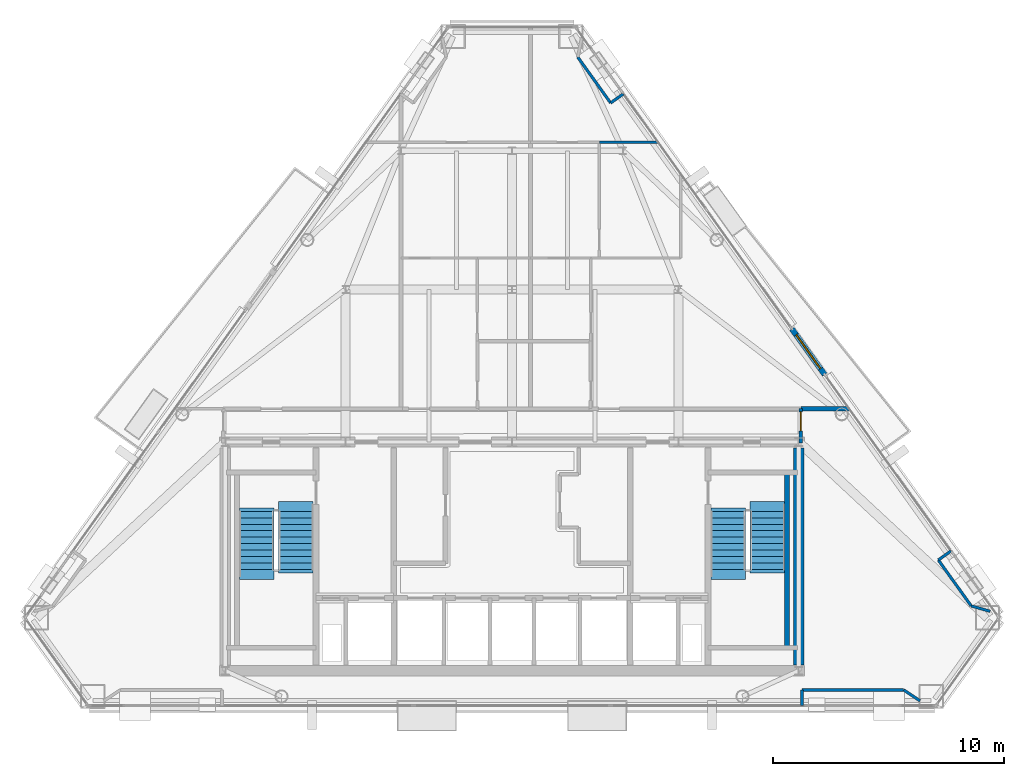
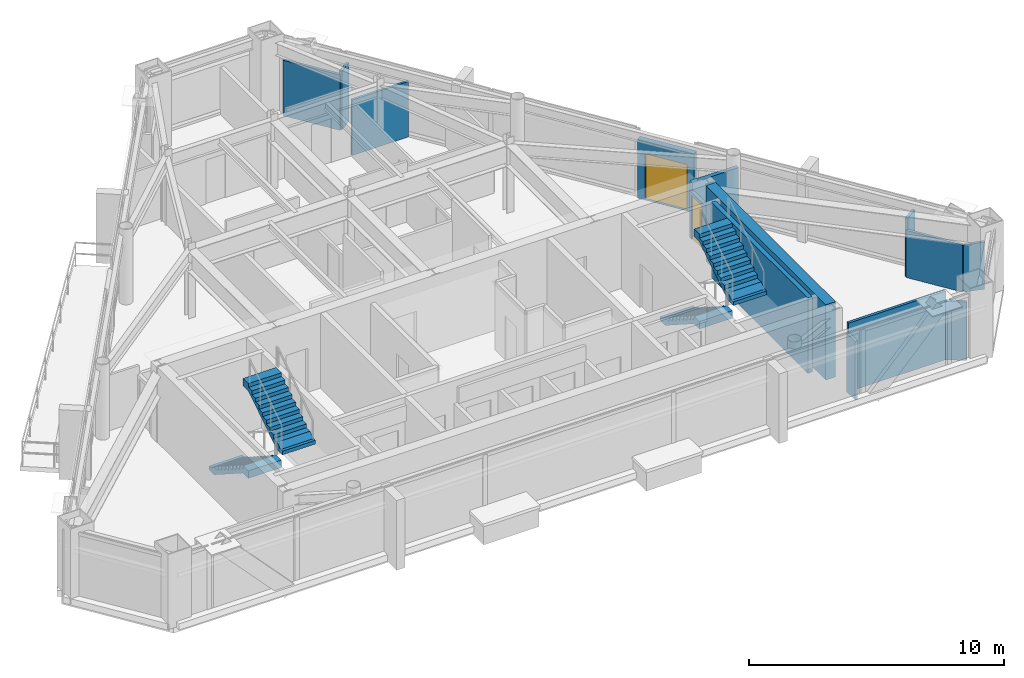
# One storey, part 9 of 11: 14 walls, 4 stair flights, 2 doors, 2 openings, 2 elements without a shape of their own.
"""IFC4 building model written with IfcOpenShell, lengths in metres."""

from ifc_helpers import new_model, si_unit, direction, frame, frame_2d, origin, place, context, subcontext, project, spatial, polyline, rectangle, outline, extrude, material, layer, layer_set, type_object, element, fill, aggregate, save


model = new_model("IFC4")

# Units and contexts
model_context = context("Model", 3, precision=1e-05, world=origin(), true_north=direction((0.0, 1.0)))
body_context = subcontext(model_context, "Body", "Model", "MODEL_VIEW")
ifc_project = project(units=[si_unit("LENGTHUNIT", "METRE"), si_unit("AREAUNIT", "SQUARE_METRE"), si_unit("VOLUMEUNIT", "CUBIC_METRE"), si_unit("PLANEANGLEUNIT", "RADIAN"), si_unit("MASSUNIT", "GRAM", prefix="KILO")], contexts=[model_context])

# Site, building, storey
site_placement = place(None, origin())
site = spatial("IfcSite", under=ifc_project, at=site_placement, CompositionType="ELEMENT")
building_placement = place(site_placement, origin())
building = spatial("IfcBuilding", under=site, at=building_placement, Name="Talgorran Terracotta Tower", CompositionType="ELEMENT")
storey_placement = place(building_placement, frame((0.0, 0.0, 240.60009765625)))
storey = spatial("IfcBuildingStorey", under=building, at=storey_placement, Name="L63", CompositionType="ELEMENT", Elevation=240.60009765625)

# Wall, opening, door
ifc_material_1 = material(Name="Concrete C40/50", Category="concrete")
ifc_layer_1 = layer(ifc_material_1, 0.239990234375, Name="WT_BALCONY_SPAND")
ifc_layer_set_1 = layer_set([ifc_layer_1], Name="Concrete C40/50")
wall_type_1 = type_object("IfcWallType", Name="WT_BALCONY_SPAND", PredefinedType="STANDARD", material=ifc_layer_set_1)
wall_1_placement = place(storey_placement, frame((13.5322265625, -1.28662109375, -0.01513671875), z_axis=(0.0, 0.0, 1.0), x_axis=(-0.582666574714, 0.812711303423, 0.0)))
wall_1 = element("IfcWall", 1, at=wall_1_placement, inside=storey, type_object=wall_type_1, Name="WL-L63-BALP-BAL-NE", PredefinedType="STANDARD", context=body_context, shape_type="SweptSolid", body=[
    extrude(rectangle(XDim=2.43994140625, YDim=0.239990234375, at=frame_2d((1.219970703125, 0.0))), origin(), (0.0, 0.0, 1.0), 2.81298828125),
])
opening_1_placement = place(wall_1_placement, frame((0.320068359375, 0.0, 0.014892578125)))
opening_1 = element("IfcOpeningElement", 2, at=opening_1_placement, cuts=wall_1, Name="Opening D-BAL-L63-1", PredefinedType="OPENING", context=body_context, shape_type="SweptSolid", body=[
    extrude(rectangle(XDim=1.806048828125, YDim=2.203951171875, at=frame_2d((0.89990234375, 1.10205078125))), frame((0.0, 0.1298828125, 0.0), z_axis=(0.0, -1.0, 0.0), x_axis=(1.0, 0.0, 0.0)), (0.0, 0.0, 1.0), 0.260009765625),
])
ifc_material_2 = material(Name="Thermally Broken Aluminium", Category="aluminium")
door_type_1 = type_object("IfcDoorType", Name="DT_BALC_1800", OperationType="SLIDING_TO_LEFT", PredefinedType="DOOR", material=ifc_material_2)
door_1_placement = place(opening_1_placement, origin())
door_1 = element("IfcDoor", 3, at=door_1_placement, inside=storey, type_object=door_type_1, Name="DR-L63-BAL-BAL-NE", OperationType="SLIDING_TO_LEFT", OverallHeight=2.199951171875, OverallWidth=1.800048828125, PredefinedType="DOOR", context=body_context, shape_type="SweptSolid", body=[
    extrude(rectangle(XDim=1.800048828125, YDim=2.199951171875, at=frame_2d((0.89990234375, 1.10009765625))), frame((0.0, 0.02490234375, 0.0), z_axis=(0.0, -1.0, 0.0), x_axis=(1.0, 0.0, 0.0)), (0.0, 0.0, 1.0), 0.050048828125),
])
fill(opening_1, door_1)

# Walls
ifc_material_3 = material(Name="Concrete C50/60", Category="concrete")
ifc_layer_2 = layer(ifc_material_3, 0.199951171875, Name="WT_CORE_200")
ifc_layer_set_2 = layer_set([ifc_layer_2], Name="Concrete C50/60")
wall_type_2 = type_object("IfcWallType", Name="WT_CORE_200", PredefinedType="SOLIDWALL", material=ifc_layer_set_2)
wall_2_placement = place(storey_placement, frame((11.89990234375, -13.10009765625, 0.0), z_axis=(0.0, 0.0, 1.0), x_axis=(0.0, 1.0, 0.0)))
element("IfcWall", 4, at=wall_2_placement, inside=storey, type_object=wall_type_2, Name="WL-L63-CW-ST2-E", PredefinedType="SOLIDWALL", context=body_context, shape_type="SweptSolid", body=[
    extrude(rectangle(XDim=7.580078125, YDim=0.199951171875, at=frame_2d((3.7900390625, 0.0))), origin(), (0.0, 0.0, 1.0), 3.599853515625),
])
ifc_material_4 = material(Name="Concrete C65/80", Category="concrete")
ifc_layer_3 = layer(ifc_material_4, 0.449951171875, Name="WT_CORE_EXT")
ifc_layer_set_3 = layer_set([ifc_layer_3], Name="Concrete C65/80")
wall_type_3 = type_object("IfcWallType", Name="WT_CORE_EXT", PredefinedType="SHEAR", material=ifc_layer_set_3)
wall_3_placement = place(storey_placement, frame((12.39990234375, -13.85009765625, 0.0), z_axis=(0.0, 0.0, 1.0), x_axis=(0.0, 1.0, 0.0)))
element("IfcWall", 5, at=wall_3_placement, inside=storey, type_object=wall_type_3, Name="WL-L63-CW-OUT-E", PredefinedType="SHEAR", context=body_context, shape_type="SweptSolid", body=[
    extrude(rectangle(XDim=9.400146484375, YDim=0.449951171875, at=frame_2d((4.7001953125, 0.0))), origin(), (0.0, 0.0, 1.0), 3.599853515625),
])

# Wall, opening, door
ifc_material_5 = material(Name="Fire-Rated Steel Stud Plasterboard", Category="steel")
ifc_layer_4 = layer(ifc_material_5, 0.14990234375, Name="WT_FIRE_150")
ifc_layer_set_4 = layer_set([ifc_layer_4], Name="Fire-Rated Steel Stud Plasterboard")
wall_type_4 = type_object("IfcWallType", Name="WT_FIRE_150", PredefinedType="PARTITIONING", material=ifc_layer_set_4)
wall_4_placement = place(storey_placement, frame((12.5, -4.239990234375, 0.0), z_axis=(0.0, 0.0, 1.0), x_axis=(0.0, 1.0, 0.0)))
wall_4 = element("IfcWall", 6, at=wall_4_placement, inside=storey, type_object=wall_type_4, Name="WL-L63-W-L63-R02", PredefinedType="PARTITIONING", context=body_context, shape_type="SweptSolid", body=[
    extrude(rectangle(XDim=1.47998046875, YDim=0.14990234375, at=frame_2d((0.739990234375, 0.0))), origin(), (0.0, 0.0, 1.0), 2.2548828125),
])
opening_2_placement = place(wall_4_placement, frame((0.521728515625, 0.0, 0.0)))
opening_2 = element("IfcOpeningElement", 7, at=opening_2_placement, cuts=wall_4, Name="Opening DR-L63-R02", PredefinedType="OPENING", context=body_context, shape_type="SweptSolid", body=[
    extrude(rectangle(XDim=0.826068359375, YDim=2.10409765625, at=frame_2d((0.41015625, 1.052001953125))), frame((0.0, 0.0849609375, 0.0), z_axis=(0.0, -1.0, 0.0), x_axis=(1.0, 0.0, 0.0)), (0.0, 0.0, 1.0), 0.169921875),
])
ifc_material_6 = material(Name="Moisture-Resistant Solid Timber", Category="wood")
door_type_2 = type_object("IfcDoorType", Name="DT_INT_820", OperationType="NOTDEFINED", PredefinedType="DOOR", material=ifc_material_6)
door_2_placement = place(opening_2_placement, origin())
door_2 = element("IfcDoor", 8, at=door_2_placement, inside=storey, type_object=door_type_2, Name="DR-L63-R02", OperationType="SINGLE_SWING_RIGHT", OverallHeight=2.10009765625, OverallWidth=0.820068359375, PredefinedType="DOOR", context=body_context, shape_type="SweptSolid", body=[
    extrude(rectangle(XDim=0.820068359375, YDim=2.10009765625, at=frame_2d((0.41015625, 1.050048828125))), frame((0.0, 0.02490234375, 0.0), z_axis=(0.0, -1.0, 0.0), x_axis=(1.0, 0.0, 0.0)), (0.0, 0.0, 1.0), 0.050048828125),
])
fill(opening_2, door_2)

# Walls
ifc_material_7 = material(Name="Acoustic Stud and Plasterboard")
ifc_layer_5 = layer(ifc_material_7, 0.179931640625, Name="WT_PARTY_200")
ifc_layer_set_5 = layer_set([ifc_layer_5], Name="Acoustic Stud and Plasterboard")
wall_type_5 = type_object("IfcWallType", Name="WT_PARTY_200", PredefinedType="PARTITIONING", material=ifc_layer_set_5)
wall_5_placement = place(storey_placement, frame((12.5, -2.760009765625, 0.0), z_axis=(0.0, 0.0, 1.0), x_axis=(1.0, 0.0, 0.0)))
element("IfcWall", 9, at=wall_5_placement, inside=storey, type_object=wall_type_5, Name="WL-L63-W-L63-R09", PredefinedType="PARTITIONING", context=body_context, shape_type="SweptSolid", body=[
    extrude(rectangle(XDim=2.08837890625, YDim=0.179931640625, at=frame_2d((1.044189453125, 0.0))), origin(), (0.0, 0.0, 1.0), 2.65283203125),
])
ifc_material_8 = material(Name="Lightweight Steel Stud Partition", Category="steel")
ifc_layer_6 = layer(ifc_material_8, 0.10498046875, Name="WT_PART_110")
ifc_layer_set_6 = layer_set([ifc_layer_6], Name="Lightweight Steel Stud Partition")
wall_type_6 = type_object("IfcWallType", Name="WT_PART_110", PredefinedType="PARTITIONING", material=ifc_layer_set_6)
wall_6_placement = place(storey_placement, frame((3.780029296875, 8.760009765625, 0.0), z_axis=(0.0, 0.0, 1.0), x_axis=(1.0, 0.0, 0.0)))
element("IfcWall", 10, at=wall_6_placement, inside=storey, type_object=wall_type_6, Name="WL-L63-W-L63-R32", PredefinedType="PARTITIONING", context=body_context, shape_type="SweptSolid", body=[
    extrude(rectangle(XDim=2.54931640625, YDim=0.10498046875, at=frame_2d((1.274658203125, 0.0))), origin(), (0.0, 0.0, 1.0), 2.65283203125),
])
ifc_material_9 = material(Name="Insulated Steel Stud Plasterboard", Category="steel")
ifc_layer_7 = layer(ifc_material_9, 0.1201171875, Name="WT_PART_120")
ifc_layer_set_7 = layer_set([ifc_layer_7], Name="Insulated Steel Stud Plasterboard")
wall_type_7 = type_object("IfcWallType", Name="WT_PART_120", PredefinedType="PARTITIONING", material=ifc_layer_set_7)
wall_7_placement = place(storey_placement, frame((12.5517578125, -14.927734375, 0.0), z_axis=(0.0, 0.0, 1.0), x_axis=(1.0, 0.0, 0.0)))
element("IfcWall", 11, at=wall_7_placement, inside=storey, type_object=wall_type_7, Name="WL-L63-BW-L63-06", PredefinedType="PARTITIONING", context=body_context, shape_type="SweptSolid", body=[
    extrude(rectangle(XDim=4.394775390625, YDim=0.1201171875, at=frame_2d((2.197265625, 0.0))), origin(), (0.0, 0.0, 1.0), 3.27978515625),
])
wall_8_placement = place(storey_placement, frame((4.267578125, 10.468505859375, 0.0), z_axis=(0.0, 0.0, 1.0), x_axis=(-0.582627952247, 0.812738992088, 0.0)))
element("IfcWall", 12, at=wall_8_placement, inside=storey, type_object=wall_type_7, Name="WL-L63-BW-L63-18", PredefinedType="PARTITIONING", context=body_context, shape_type="SweptSolid", body=[
    extrude(rectangle(XDim=2.44140625, YDim=0.1201171875, at=frame_2d((1.220703125, 0.0))), origin(), (0.0, 0.0, 1.0), 2.65283203125),
])
wall_9_placement = place(storey_placement, frame((19.868896484375, -11.2919921875, 0.0), z_axis=(0.0, 0.0, 1.0), x_axis=(-0.58269400411, 0.812691637446, 0.0)))
element("IfcWall", 13, at=wall_9_placement, inside=storey, type_object=wall_type_7, Name="WL-L63-BW-L63-13", PredefinedType="PARTITIONING", context=body_context, shape_type="SweptSolid", body=[
    extrude(rectangle(XDim=2.44140625, YDim=0.1201171875, at=frame_2d((1.220703125, 0.0))), origin(), (0.0, 0.0, 1.0), 2.2548828125),
])
wall_10_placement = place(storey_placement, frame((16.946533203125, -14.927734375, 0.0), z_axis=(0.0, 0.0, 1.0), x_axis=(0.831434816422, -0.555622305205, 0.0)))
element("IfcWall", 14, at=wall_10_placement, inside=storey, type_object=wall_type_7, Name="WL-L63-BW-L63-04", PredefinedType="PARTITIONING", context=body_context, shape_type="SweptSolid", body=[
    extrude(rectangle(XDim=0.85498046875, YDim=0.1201171875, at=frame_2d((0.427490234375, 0.0))), origin(), (0.0, 0.0, 1.0), 2.7978515625),
])
wall_11_placement = place(storey_placement, frame((20.688720703125, -11.5263671875, 0.0), z_axis=(0.0, 0.0, 1.0), x_axis=(-0.961480716813, 0.274872390751, 0.0)))
element("IfcWall", 15, at=wall_11_placement, inside=storey, type_object=wall_type_7, Name="WL-L63-BW-L63-12", PredefinedType="PARTITIONING", context=body_context, shape_type="SweptSolid", body=[
    extrude(rectangle(XDim=0.852783203125, YDim=0.1201171875, at=frame_2d((0.42626953125, 0.0))), origin(), (0.0, 0.0, 1.0), 2.2548828125),
])
for number, where, z_axis, x_axis, name in (
    (16, (4.812255859375, 10.85888671875, 0.0), (0.0, 0.0, 1.0), (-0.812797002259, -0.582547022238, 0.0), "WL-L63-BW-L63-17"),
    (17, (12.5517578125, -15.597900390625, 0.0), (0.0, 0.0, 1.0), (0.0, 1.0, 0.0), "WL-L63-BW-L63-05"),
):
    element("IfcWall", number, at=place(storey_placement, frame(where, z_axis=z_axis, x_axis=x_axis)), inside=storey, type_object=wall_type_7, Name=name, PredefinedType="PARTITIONING", context=body_context, shape_type="SweptSolid", body=[
        extrude(rectangle(XDim=0.670166015625, YDim=0.1201171875, at=frame_2d((0.3349609375, 0.0))), origin(), (0.0, 0.0, 1.0), 2.7978515625),
    ])
wall_12_placement = place(storey_placement, frame((18.4462890625, -9.307861328125, 0.0), z_axis=(0.0, 0.0, 1.0), x_axis=(0.812673311452, 0.582719562786, 0.0)))
element("IfcWall", 18, at=wall_12_placement, inside=storey, type_object=wall_type_7, Name="WL-L63-BW-L63-11", PredefinedType="PARTITIONING", context=body_context, shape_type="SweptSolid", body=[
    extrude(rectangle(XDim=0.669921875, YDim=0.1201171875, at=frame_2d((0.3349609375, 0.0))), origin(), (0.0, 0.0, 1.0), 2.7978515625),
])

# Stair, stair flights
stair_type = type_object("IfcStairType", Name="ST_FIRE_SCISSOR", PredefinedType="HALF_TURN_STAIR", material=ifc_material_1)
stair_1_placement = place(storey_placement, origin())
stair_1 = element("IfcStair", 19, at=stair_1_placement, inside=storey, type_object=stair_type, Name="L63 West Protected Fire Stair ST-01", PredefinedType="HALF_TURN_STAIR")
ifc_layer_8 = layer(ifc_material_1, 0.179931640625, Name="STF_RC_1500")
ifc_layer_set_8 = layer_set([ifc_layer_8], Name="Concrete C40/50")
stair_flight_type = type_object("IfcStairFlightType", Name="STF_RC_1500", PredefinedType="STRAIGHT", material=ifc_layer_set_8)
stair_flight_1_placement = place(storey_placement, frame((-11.050048828125, -7.199951171875, 0.0), z_axis=(0.0, 0.0, 1.0), x_axis=(0.0, -1.0, 0.0)))
stair_flight_1 = element("IfcStairFlight", 20, at=stair_flight_1_placement, type_object=stair_flight_type, Name="ST-01 flight 1", NumberOfRisers=10, NumberOfTreads=9, PredefinedType="STRAIGHT", RiserHeight=0.18, TreadLength=0.28, context=body_context, shape_type="SweptSolid", body=[
    extrude(outline(polyline([(-0.139892578125, 0.0), (-0.139892578125, 0.179931640625), (0.0, 0.179931640625), (0.280029296875, 0.360107421875), (0.56005859375, 0.360107421875), (0.56005859375, 0.5400390625), (0.840087890625, 0.5400390625), (0.840087890625, 0.719970703125), (1.1201171875, 0.719970703125), (1.1201171875, 0.89990234375), (1.39990234375, 0.89990234375), (1.39990234375, 1.080078125), (1.679931640625, 1.080078125), (1.679931640625, 1.260009765625), (1.9599609375, 1.260009765625), (1.9599609375, 1.43994140625), (2.239990234375, 1.43994140625), (2.239990234375, 1.6201171875), (2.52001953125, 1.6201171875), (2.52001953125, 1.800048828125), (2.93994140625, 1.800048828125), (2.93994140625, 1.44189453125), (2.52001953125, 1.44189453125), (0.277099609375, 0.0), (-0.139892578125, 0.0)])), frame((0.0, 0.75, 0.0), z_axis=(0.0, -1.0, 0.0), x_axis=(1.0, 0.0, 0.0)), (0.0, 0.0, 1.0), 1.5),
])
stair_flight_2_placement = place(storey_placement, frame((-9.35009765625, -9.719970703125, 1.7998046875), z_axis=(0.0, 0.0, 1.0), x_axis=(0.0, 1.0, 0.0)))
stair_flight_2 = element("IfcStairFlight", 21, at=stair_flight_2_placement, type_object=stair_flight_type, Name="ST-01 flight 2", NumberOfRisers=10, NumberOfTreads=9, PredefinedType="STRAIGHT", RiserHeight=0.18, TreadLength=0.28, context=body_context, shape_type="SweptSolid", body=[
    extrude(outline(polyline([(-0.139892578125, 0.0), (-0.139892578125, 0.179931640625), (0.0, 0.179931640625), (0.280029296875, 0.360107421875), (0.56005859375, 0.360107421875), (0.56005859375, 0.5400390625), (0.840087890625, 0.5400390625), (0.840087890625, 0.719970703125), (1.1201171875, 0.719970703125), (1.1201171875, 0.89990234375), (1.39990234375, 0.89990234375), (1.39990234375, 1.080078125), (1.679931640625, 1.080078125), (1.679931640625, 1.260009765625), (1.9599609375, 1.260009765625), (1.9599609375, 1.43994140625), (2.239990234375, 1.43994140625), (2.239990234375, 1.6201171875), (2.52001953125, 1.6201171875), (2.52001953125, 1.800048828125), (2.93994140625, 1.800048828125), (2.93994140625, 1.44189453125), (2.52001953125, 1.44189453125), (0.277099609375, 0.0), (-0.139892578125, 0.0)])), frame((0.0, 0.75, 0.0), z_axis=(0.0, -1.0, 0.0), x_axis=(1.0, 0.0, 0.0)), (0.0, 0.0, 1.0), 1.5),
])
aggregate(stair_1, [stair_flight_1, stair_flight_2])

stair_2_placement = place(storey_placement, origin())
stair_2 = element("IfcStair", 22, at=stair_2_placement, inside=storey, type_object=stair_type, Name="L63 East Protected Fire Stair ST-02", PredefinedType="HALF_TURN_STAIR")
stair_flight_3_placement = place(storey_placement, frame((9.35009765625, -7.199951171875, 0.0), z_axis=(0.0, 0.0, 1.0), x_axis=(0.0, -1.0, 0.0)))
stair_flight_3 = element("IfcStairFlight", 23, at=stair_flight_3_placement, type_object=stair_flight_type, Name="ST-02 flight 1", NumberOfRisers=10, NumberOfTreads=9, PredefinedType="STRAIGHT", RiserHeight=0.18, TreadLength=0.28, context=body_context, shape_type="SweptSolid", body=[
    extrude(outline(polyline([(-0.139892578125, 0.0), (-0.139892578125, 0.179931640625), (0.0, 0.179931640625), (0.280029296875, 0.360107421875), (0.56005859375, 0.360107421875), (0.56005859375, 0.5400390625), (0.840087890625, 0.5400390625), (0.840087890625, 0.719970703125), (1.1201171875, 0.719970703125), (1.1201171875, 0.89990234375), (1.39990234375, 0.89990234375), (1.39990234375, 1.080078125), (1.679931640625, 1.080078125), (1.679931640625, 1.260009765625), (1.9599609375, 1.260009765625), (1.9599609375, 1.43994140625), (2.239990234375, 1.43994140625), (2.239990234375, 1.6201171875), (2.52001953125, 1.6201171875), (2.52001953125, 1.800048828125), (2.93994140625, 1.800048828125), (2.93994140625, 1.44189453125), (2.52001953125, 1.44189453125), (0.277099609375, 0.0), (-0.139892578125, 0.0)])), frame((0.0, 0.75, 0.0), z_axis=(0.0, -1.0, 0.0), x_axis=(1.0, 0.0, 0.0)), (0.0, 0.0, 1.0), 1.5),
])
stair_flight_4_placement = place(storey_placement, frame((11.050048828125, -9.719970703125, 1.7998046875), z_axis=(0.0, 0.0, 1.0), x_axis=(0.0, 1.0, 0.0)))
stair_flight_4 = element("IfcStairFlight", 24, at=stair_flight_4_placement, type_object=stair_flight_type, Name="ST-02 flight 2", NumberOfRisers=10, NumberOfTreads=9, PredefinedType="STRAIGHT", RiserHeight=0.18, TreadLength=0.28, context=body_context, shape_type="SweptSolid", body=[
    extrude(outline(polyline([(-0.139892578125, 0.0), (-0.139892578125, 0.179931640625), (0.0, 0.179931640625), (0.280029296875, 0.360107421875), (0.56005859375, 0.360107421875), (0.56005859375, 0.5400390625), (0.840087890625, 0.5400390625), (0.840087890625, 0.719970703125), (1.1201171875, 0.719970703125), (1.1201171875, 0.89990234375), (1.39990234375, 0.89990234375), (1.39990234375, 1.080078125), (1.679931640625, 1.080078125), (1.679931640625, 1.260009765625), (1.9599609375, 1.260009765625), (1.9599609375, 1.43994140625), (2.239990234375, 1.43994140625), (2.239990234375, 1.6201171875), (2.52001953125, 1.6201171875), (2.52001953125, 1.800048828125), (2.93994140625, 1.800048828125), (2.93994140625, 1.44189453125), (2.52001953125, 1.44189453125), (0.277099609375, 0.0), (-0.139892578125, 0.0)])), frame((0.0, 0.75, 0.0), z_axis=(0.0, -1.0, 0.0), x_axis=(1.0, 0.0, 0.0)), (0.0, 0.0, 1.0), 1.5),
])
aggregate(stair_2, [stair_flight_3, stair_flight_4])

save(model, "model.ifc")
